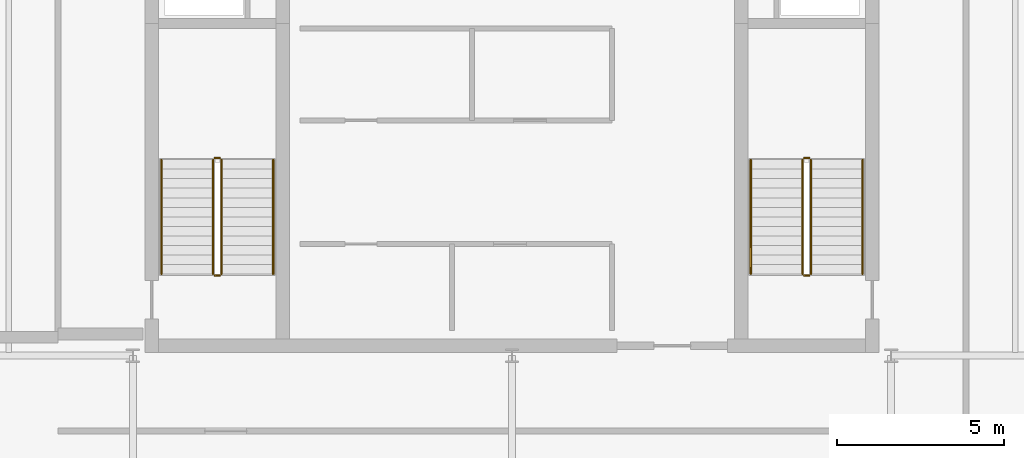
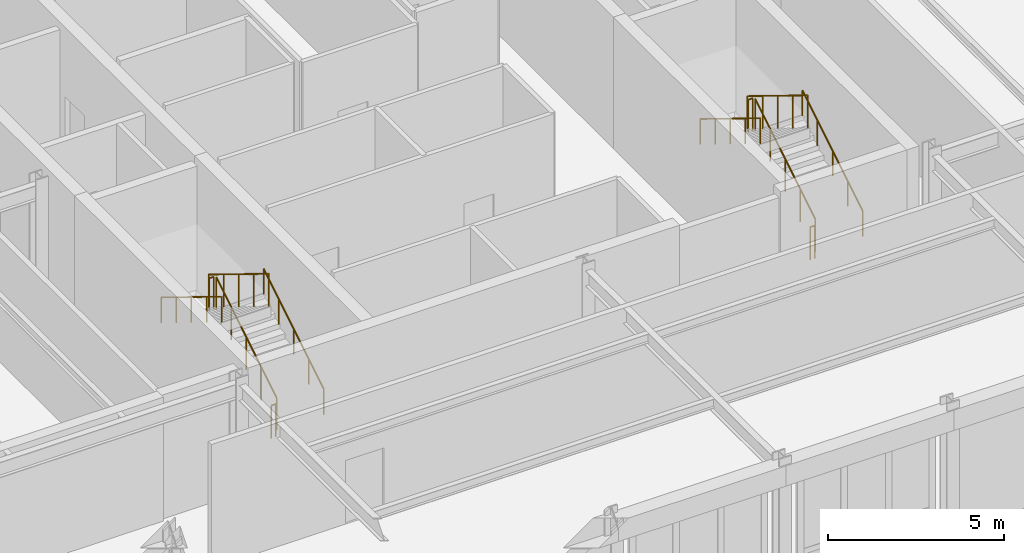
# One storey, part 9 of 9: 12 railings.
"""IFC4 building model written with IfcOpenShell, lengths in metres."""

from ifc_helpers import new_model, si_unit, direction, frame, origin, origin_2d, place, context, subcontext, project, spatial, circle, extrude, material, type_object, element, save


model = new_model("IFC4")

# Units and contexts
model_context = context("Model", 3, precision=1e-05, world=origin(), true_north=direction((0.0, 1.0)))
body_context = subcontext(model_context, "Body", "Model", "MODEL_VIEW")
ifc_project = project(units=[si_unit("LENGTHUNIT", "METRE"), si_unit("AREAUNIT", "SQUARE_METRE"), si_unit("VOLUMEUNIT", "CUBIC_METRE"), si_unit("PLANEANGLEUNIT", "RADIAN"), si_unit("MASSUNIT", "GRAM", prefix="KILO")], contexts=[model_context])

# Site, building, storey
site_placement = place(None, origin())
site = spatial("IfcSite", under=ifc_project, at=site_placement, CompositionType="ELEMENT")
building_placement = place(site_placement, origin())
building = spatial("IfcBuilding", under=site, at=building_placement, Name="Nhamokura Convention Tower", CompositionType="ELEMENT")
storey_placement = place(building_placement, frame((0.0, 0.0, 313.25)))
storey = spatial("IfcBuildingStorey", under=building, at=storey_placement, Name="L77", CompositionType="ELEMENT", Elevation=313.25)

# Railings
ifc_material_1 = material(Name="Anodised bronze stainless steel", Category="steel")
railing_type_1 = type_object("IfcRailingType", Name="StairWallHandrail_900", PredefinedType="HANDRAIL", material=ifc_material_1)
railing_1_placement = place(storey_placement, frame((24.85009765625, 23.10009765625, 0.175048828125)))
element("IfcRailing", 1, at=railing_1_placement, inside=storey, type_object=railing_type_1, Name="L77 ST-01 stair handrail 1", PredefinedType="HANDRAIL", context=body_context, shape_type="SweptSolid", body=[
    extrude(circle(Radius=0.02392578125, at=origin_2d()), frame((0.0, 0.0, 0.8759765625), z_axis=(0.0, 0.852182171552, 0.523245206847), x_axis=(-1.0, 0.0, 0.0)), (0.0, 0.0, 1.0), 4.01318359375),
    extrude(circle(Radius=0.02099609375, at=origin_2d()), origin(), (0.0, 0.0, 1.0), 0.851806640625),
    extrude(circle(Radius=0.02099609375, at=origin_2d()), frame((0.0, 0.85498046875, 0.52490234375)), (0.0, 0.0, 1.0), 0.851806640625),
    extrude(circle(Radius=0.02099609375, at=origin_2d()), frame((0.0, 1.7099609375, 1.0498046875)), (0.0, 0.0, 1.0), 0.851806640625),
    extrude(circle(Radius=0.02099609375, at=origin_2d()), frame((0.0, 2.56494140625, 1.574951171875)), (0.0, 0.0, 1.0), 0.851806640625),
    extrude(circle(Radius=0.02099609375, at=origin_2d()), frame((0.0, 3.419921875, 2.099853515625)), (0.0, 0.0, 1.0), 0.851806640625),
])
railing_2_placement = place(storey_placement, frame((21.5, 26.52001953125, 2.449951171875)))
element("IfcRailing", 2, at=railing_2_placement, inside=storey, type_object=railing_type_1, Name="L77 ST-01 stair handrail 2", PredefinedType="HANDRAIL", context=body_context, shape_type="SweptSolid", body=[
    extrude(circle(Radius=0.02392578125, at=origin_2d()), frame((0.0, 0.0, 0.8759765625), z_axis=(0.0, -0.852155044755, 0.523289384279), x_axis=(1.0, 0.0, 0.0)), (0.0, 0.0, 1.0), 4.01318359375),
    extrude(circle(Radius=0.02099609375, at=origin_2d()), origin(), (0.0, 0.0, 1.0), 0.851806640625),
    extrude(circle(Radius=0.02099609375, at=origin_2d()), frame((0.0, -0.85498046875, 0.52490234375)), (0.0, 0.0, 1.0), 0.851806640625),
    extrude(circle(Radius=0.02099609375, at=origin_2d()), frame((0.0, -1.7099609375, 1.050048828125)), (0.0, 0.0, 1.0), 0.851806640625),
    extrude(circle(Radius=0.02099609375, at=origin_2d()), frame((0.0, -2.56494140625, 1.5751953125)), (0.0, 0.0, 1.0), 0.851806640625),
    extrude(circle(Radius=0.02099609375, at=origin_2d()), frame((0.0, -3.419921875, 2.10009765625)), (0.0, 0.0, 1.0), 0.851806640625),
])
railing_3_placement = place(storey_placement, frame((42.5, 23.10009765625, 0.175048828125)))
element("IfcRailing", 3, at=railing_3_placement, inside=storey, type_object=railing_type_1, Name="L77 ST-02 stair handrail 1", PredefinedType="HANDRAIL", context=body_context, shape_type="SweptSolid", body=[
    extrude(circle(Radius=0.02392578125, at=origin_2d()), frame((0.0, 0.0, 0.8759765625), z_axis=(0.0, 0.852182171552, 0.523245206847), x_axis=(-1.0, 0.0, 0.0)), (0.0, 0.0, 1.0), 4.01318359375),
    extrude(circle(Radius=0.02099609375, at=origin_2d()), origin(), (0.0, 0.0, 1.0), 0.851806640625),
    extrude(circle(Radius=0.02099609375, at=origin_2d()), frame((0.0, 0.85498046875, 0.52490234375)), (0.0, 0.0, 1.0), 0.851806640625),
    extrude(circle(Radius=0.02099609375, at=origin_2d()), frame((0.0, 1.7099609375, 1.0498046875)), (0.0, 0.0, 1.0), 0.851806640625),
    extrude(circle(Radius=0.02099609375, at=origin_2d()), frame((0.0, 2.56494140625, 1.574951171875)), (0.0, 0.0, 1.0), 0.851806640625),
    extrude(circle(Radius=0.02099609375, at=origin_2d()), frame((0.0, 3.419921875, 2.099853515625)), (0.0, 0.0, 1.0), 0.851806640625),
])
railing_4_placement = place(storey_placement, frame((39.14990234375, 26.52001953125, 2.449951171875)))
element("IfcRailing", 4, at=railing_4_placement, inside=storey, type_object=railing_type_1, Name="L77 ST-02 stair handrail 2", PredefinedType="HANDRAIL", context=body_context, shape_type="SweptSolid", body=[
    extrude(circle(Radius=0.02392578125, at=origin_2d()), frame((0.0, 0.0, 0.8759765625), z_axis=(0.0, -0.852155044755, 0.523289384279), x_axis=(1.0, 0.0, 0.0)), (0.0, 0.0, 1.0), 4.01318359375),
    extrude(circle(Radius=0.02099609375, at=origin_2d()), origin(), (0.0, 0.0, 1.0), 0.851806640625),
    extrude(circle(Radius=0.02099609375, at=origin_2d()), frame((0.0, -0.85498046875, 0.52490234375)), (0.0, 0.0, 1.0), 0.851806640625),
    extrude(circle(Radius=0.02099609375, at=origin_2d()), frame((0.0, -1.7099609375, 1.050048828125)), (0.0, 0.0, 1.0), 0.851806640625),
    extrude(circle(Radius=0.02099609375, at=origin_2d()), frame((0.0, -2.56494140625, 1.5751953125)), (0.0, 0.0, 1.0), 0.851806640625),
    extrude(circle(Radius=0.02099609375, at=origin_2d()), frame((0.0, -3.419921875, 2.10009765625)), (0.0, 0.0, 1.0), 0.851806640625),
])
ifc_material_2 = material(Name="Painted tubular steel", Category="steel")
railing_type_2 = type_object("IfcRailingType", Name="StairWellGuardrail_1150", PredefinedType="GUARDRAIL", material=ifc_material_2)
railing_5_placement = place(storey_placement, frame((23.300048828125, 23.10009765625, 0.175048828125)))
element("IfcRailing", 5, at=railing_5_placement, inside=storey, type_object=railing_type_2, Name="L77 ST-01 stair guard 1", PredefinedType="GUARDRAIL", context=body_context, shape_type="SweptSolid", body=[
    extrude(circle(Radius=0.02392578125, at=origin_2d()), frame((0.0, 0.0, 1.1259765625), z_axis=(0.0, 0.852182171552, 0.523245206847), x_axis=(-1.0, 0.0, 0.0)), (0.0, 0.0, 1.0), 4.01318359375),
    extrude(circle(Radius=0.02099609375, at=origin_2d()), origin(), (0.0, 0.0, 1.0), 1.101806640625),
    extrude(circle(Radius=0.02099609375, at=origin_2d()), frame((0.0, 0.85498046875, 0.52490234375)), (0.0, 0.0, 1.0), 1.101806640625),
    extrude(circle(Radius=0.02099609375, at=origin_2d()), frame((0.0, 1.7099609375, 1.0498046875)), (0.0, 0.0, 1.0), 1.101806640625),
    extrude(circle(Radius=0.02099609375, at=origin_2d()), frame((0.0, 2.56494140625, 1.574951171875)), (0.0, 0.0, 1.0), 1.101806640625),
    extrude(circle(Radius=0.02099609375, at=origin_2d()), frame((0.0, 3.419921875, 2.099853515625)), (0.0, 0.0, 1.0), 1.101806640625),
])
railing_6_placement = place(storey_placement, frame((23.25, 26.570068359375, 2.27490234375)))
element("IfcRailing", 6, at=railing_6_placement, inside=storey, type_object=railing_type_2, Name="L77 ST-01 stair guard 2", PredefinedType="GUARDRAIL", context=body_context, shape_type="SweptSolid", body=[
    extrude(circle(Radius=0.02392578125, at=origin_2d()), frame((0.0, 0.0, 1.1259765625), z_axis=(-1.0, 0.0, 0.0), x_axis=(0.0, -1.0, 0.0)), (0.0, 0.0, 1.0), 0.14990234375),
    extrude(circle(Radius=0.02099609375, at=origin_2d()), origin(), (0.0, 0.0, 1.0), 1.101806640625),
    extrude(circle(Radius=0.02099609375, at=origin_2d()), frame((-0.14990234375, 0.0, 0.0)), (0.0, 0.0, 1.0), 1.101806640625),
])
railing_7_placement = place(storey_placement, frame((23.050048828125, 26.52001953125, 2.449951171875)))
element("IfcRailing", 7, at=railing_7_placement, inside=storey, type_object=railing_type_2, Name="L77 ST-01 stair guard 3", PredefinedType="GUARDRAIL", context=body_context, shape_type="SweptSolid", body=[
    extrude(circle(Radius=0.02392578125, at=origin_2d()), frame((0.0, 0.0, 1.1259765625), z_axis=(0.0, -0.852155044755, 0.523289384279), x_axis=(1.0, 0.0, 0.0)), (0.0, 0.0, 1.0), 4.01318359375),
    extrude(circle(Radius=0.02099609375, at=origin_2d()), origin(), (0.0, 0.0, 1.0), 1.101806640625),
    extrude(circle(Radius=0.02099609375, at=origin_2d()), frame((0.0, -0.85498046875, 0.52490234375)), (0.0, 0.0, 1.0), 1.101806640625),
    extrude(circle(Radius=0.02099609375, at=origin_2d()), frame((0.0, -1.7099609375, 1.050048828125)), (0.0, 0.0, 1.0), 1.101806640625),
    extrude(circle(Radius=0.02099609375, at=origin_2d()), frame((0.0, -2.56494140625, 1.5751953125)), (0.0, 0.0, 1.0), 1.101806640625),
    extrude(circle(Radius=0.02099609375, at=origin_2d()), frame((0.0, -3.419921875, 2.10009765625)), (0.0, 0.0, 1.0), 1.101806640625),
])
railing_8_placement = place(storey_placement, frame((23.25, 23.050048828125, 0.0)))
element("IfcRailing", 8, at=railing_8_placement, inside=storey, type_object=railing_type_2, Name="L77 ST-01 stair guard 4", PredefinedType="GUARDRAIL", context=body_context, shape_type="SweptSolid", body=[
    extrude(circle(Radius=0.02392578125, at=origin_2d()), frame((0.0, 0.0, 1.1259765625), z_axis=(-1.0, 0.0, 0.0), x_axis=(0.0, -1.0, 0.0)), (0.0, 0.0, 1.0), 0.14990234375),
    extrude(circle(Radius=0.02099609375, at=origin_2d()), origin(), (0.0, 0.0, 1.0), 1.101806640625),
    extrude(circle(Radius=0.02099609375, at=origin_2d()), frame((-0.14990234375, 0.0, 0.0)), (0.0, 0.0, 1.0), 1.101806640625),
])
railing_9_placement = place(storey_placement, frame((40.949951171875, 23.10009765625, 0.175048828125)))
element("IfcRailing", 9, at=railing_9_placement, inside=storey, type_object=railing_type_2, Name="L77 ST-02 stair guard 1", PredefinedType="GUARDRAIL", context=body_context, shape_type="SweptSolid", body=[
    extrude(circle(Radius=0.02392578125, at=origin_2d()), frame((0.0, 0.0, 1.1259765625), z_axis=(0.0, 0.852182171552, 0.523245206847), x_axis=(-1.0, 0.0, 0.0)), (0.0, 0.0, 1.0), 4.01318359375),
    extrude(circle(Radius=0.02099609375, at=origin_2d()), origin(), (0.0, 0.0, 1.0), 1.101806640625),
    extrude(circle(Radius=0.02099609375, at=origin_2d()), frame((0.0, 0.85498046875, 0.52490234375)), (0.0, 0.0, 1.0), 1.101806640625),
    extrude(circle(Radius=0.02099609375, at=origin_2d()), frame((0.0, 1.7099609375, 1.0498046875)), (0.0, 0.0, 1.0), 1.101806640625),
    extrude(circle(Radius=0.02099609375, at=origin_2d()), frame((0.0, 2.56494140625, 1.574951171875)), (0.0, 0.0, 1.0), 1.101806640625),
    extrude(circle(Radius=0.02099609375, at=origin_2d()), frame((0.0, 3.419921875, 2.099853515625)), (0.0, 0.0, 1.0), 1.101806640625),
])
railing_10_placement = place(storey_placement, frame((40.89990234375, 26.570068359375, 2.27490234375)))
element("IfcRailing", 10, at=railing_10_placement, inside=storey, type_object=railing_type_2, Name="L77 ST-02 stair guard 2", PredefinedType="GUARDRAIL", context=body_context, shape_type="SweptSolid", body=[
    extrude(circle(Radius=0.02392578125, at=origin_2d()), frame((0.0, 0.0, 1.1259765625), z_axis=(-1.0, 0.0, 0.0), x_axis=(0.0, -1.0, 0.0)), (0.0, 0.0, 1.0), 0.14990234375),
    extrude(circle(Radius=0.02099609375, at=origin_2d()), origin(), (0.0, 0.0, 1.0), 1.101806640625),
    extrude(circle(Radius=0.02099609375, at=origin_2d()), frame((-0.14990234375, 0.0, 0.0)), (0.0, 0.0, 1.0), 1.101806640625),
])
railing_11_placement = place(storey_placement, frame((40.699951171875, 26.52001953125, 2.449951171875)))
element("IfcRailing", 11, at=railing_11_placement, inside=storey, type_object=railing_type_2, Name="L77 ST-02 stair guard 3", PredefinedType="GUARDRAIL", context=body_context, shape_type="SweptSolid", body=[
    extrude(circle(Radius=0.02392578125, at=origin_2d()), frame((0.0, 0.0, 1.1259765625), z_axis=(0.0, -0.852155044755, 0.523289384279), x_axis=(1.0, 0.0, 0.0)), (0.0, 0.0, 1.0), 4.01318359375),
    extrude(circle(Radius=0.02099609375, at=origin_2d()), origin(), (0.0, 0.0, 1.0), 1.101806640625),
    extrude(circle(Radius=0.02099609375, at=origin_2d()), frame((0.0, -0.85498046875, 0.52490234375)), (0.0, 0.0, 1.0), 1.101806640625),
    extrude(circle(Radius=0.02099609375, at=origin_2d()), frame((0.0, -1.7099609375, 1.050048828125)), (0.0, 0.0, 1.0), 1.101806640625),
    extrude(circle(Radius=0.02099609375, at=origin_2d()), frame((0.0, -2.56494140625, 1.5751953125)), (0.0, 0.0, 1.0), 1.101806640625),
    extrude(circle(Radius=0.02099609375, at=origin_2d()), frame((0.0, -3.419921875, 2.10009765625)), (0.0, 0.0, 1.0), 1.101806640625),
])
railing_12_placement = place(storey_placement, frame((40.89990234375, 23.050048828125, 0.0)))
element("IfcRailing", 12, at=railing_12_placement, inside=storey, type_object=railing_type_2, Name="L77 ST-02 stair guard 4", PredefinedType="GUARDRAIL", context=body_context, shape_type="SweptSolid", body=[
    extrude(circle(Radius=0.02392578125, at=origin_2d()), frame((0.0, 0.0, 1.1259765625), z_axis=(-1.0, 0.0, 0.0), x_axis=(0.0, -1.0, 0.0)), (0.0, 0.0, 1.0), 0.14990234375),
    extrude(circle(Radius=0.02099609375, at=origin_2d()), origin(), (0.0, 0.0, 1.0), 1.101806640625),
    extrude(circle(Radius=0.02099609375, at=origin_2d()), frame((-0.14990234375, 0.0, 0.0)), (0.0, 0.0, 1.0), 1.101806640625),
])

save(model, "model.ifc")
